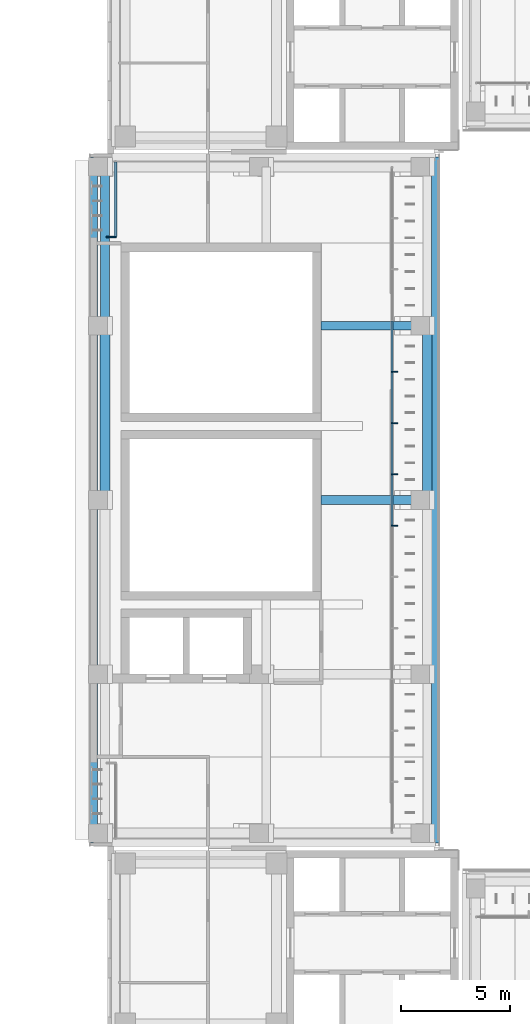
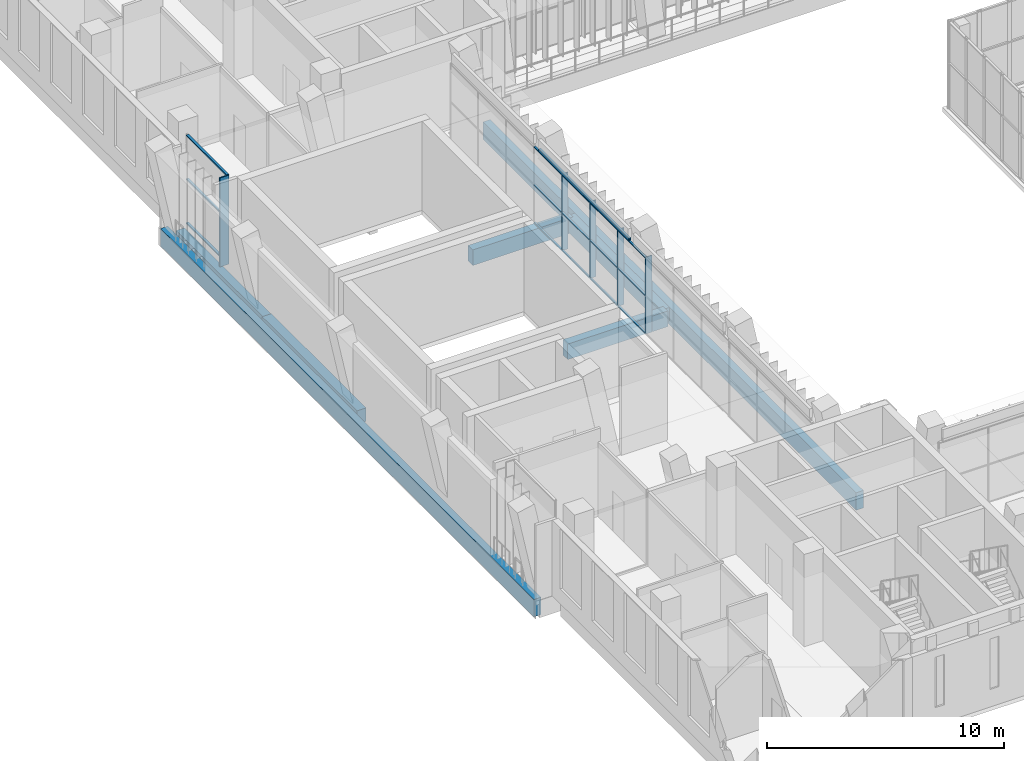
# One storey, part 24 of 92: 20 members, 8 beams, 2 elements without a shape of their own.
"""IFC4 building model written with IfcOpenShell, lengths in metres."""

from ifc_helpers import new_model, si_unit, direction, frame, origin, origin_2d, place, context, subcontext, project, spatial, rectangle, hollow_rectangle, extrude, material, material_profile, profile_set, type_object, element, aggregate, save


model = new_model("IFC4")

# Units and contexts
model_context = context("Model", 3, precision=1e-05, world=origin(), true_north=direction((0.0, 1.0)))
body_context = subcontext(model_context, "Body", "Model", "MODEL_VIEW")
ifc_project = project(units=[si_unit("LENGTHUNIT", "METRE"), si_unit("AREAUNIT", "SQUARE_METRE"), si_unit("VOLUMEUNIT", "CUBIC_METRE"), si_unit("PLANEANGLEUNIT", "RADIAN"), si_unit("MASSUNIT", "GRAM", prefix="KILO")], contexts=[model_context])

# Site, building, storey
site_placement = place(None, origin())
site = spatial("IfcSite", under=ifc_project, at=site_placement, CompositionType="ELEMENT")
building_placement = place(site_placement, origin())
building = spatial("IfcBuilding", under=site, at=building_placement, Name="Lantern Court Media Centre", CompositionType="ELEMENT")
storey_placement = place(building_placement, frame((0.0, 0.0, 4.800048828125)))
storey = spatial("IfcBuildingStorey", under=building, at=storey_placement, Name="L01", CompositionType="ELEMENT", Elevation=4.800048828125)

# Curtain wall, members
ifc_material_1 = material(Name="Curtain wall bay 2400")
curtain_wall_type_1 = type_object("IfcCurtainWallType", Name="Curtain wall bay 2400", PredefinedType="NOTDEFINED", material=ifc_material_1)
curtain_wall_1_placement = place(storey_placement, origin())
curtain_wall_1 = element("IfcCurtainWall", 1, at=curtain_wall_1_placement, inside=storey, type_object=curtain_wall_type_1, Name="Curtain wall W inner L01", PredefinedType="NOTDEFINED")
ifc_material_2 = material(Name="Anodised aluminium", Category="aluminium")
ifc_material_profile_1 = material_profile(ifc_material_2, rectangle(XDim=0.300048828125, YDim=0.050048828125, at=origin_2d()), Name="AL 50x300")
ifc_profile_set_1 = profile_set([ifc_material_profile_1], Name="Anodised aluminium")
member_type_1 = type_object("IfcMemberType", Name="Curtain wall mullion 50x300", PredefinedType="MULLION", material=ifc_profile_set_1)
member_1_placement = place(storey_placement, frame((20.969970703125, 78.822998046875, 0.0), z_axis=(0.0, 0.0, 1.0), x_axis=(-1.0, 0.0, 0.0)))
member_1 = element("IfcMember", 2, at=member_1_placement, type_object=member_type_1, Name="CW2 mullion 7", PredefinedType="MULLION", context=body_context, shape_type="SweptSolid", body=[
    extrude(rectangle(XDim=0.300048828125, YDim=0.050048828125, at=origin_2d()), origin(), (0.0, 0.0, 1.0), 3.949951171875),
])
member_2_placement = place(storey_placement, frame((20.969970703125, 81.177001953125, 0.0), z_axis=(0.0, 0.0, 1.0), x_axis=(-1.0, 0.0, 0.0)))
member_2 = element("IfcMember", 3, at=member_2_placement, type_object=member_type_1, Name="CW2 mullion 8", PredefinedType="MULLION", context=body_context, shape_type="SweptSolid", body=[
    extrude(rectangle(XDim=0.300048828125, YDim=0.050048828125, at=origin_2d()), origin(), (0.0, 0.0, 1.0), 3.949951171875),
])
member_3_placement = place(storey_placement, frame((20.969970703125, 83.53076171875, 0.0), z_axis=(0.0, 0.0, 1.0), x_axis=(-1.0, 0.0, 0.0)))
member_3 = element("IfcMember", 4, at=member_3_placement, type_object=member_type_1, Name="CW2 mullion 9", PredefinedType="MULLION", context=body_context, shape_type="SweptSolid", body=[
    extrude(rectangle(XDim=0.300048828125, YDim=0.050048828125, at=origin_2d()), origin(), (0.0, 0.0, 1.0), 3.949951171875),
])
member_4_placement = place(storey_placement, frame((20.969970703125, 85.884521484375, 0.0), z_axis=(0.0, 0.0, 1.0), x_axis=(-1.0, 0.0, 0.0)))
member_4 = element("IfcMember", 5, at=member_4_placement, type_object=member_type_1, Name="CW2 mullion 10", PredefinedType="MULLION", context=body_context, shape_type="SweptSolid", body=[
    extrude(rectangle(XDim=0.300048828125, YDim=0.050048828125, at=origin_2d()), origin(), (0.0, 0.0, 1.0), 3.949951171875),
])

# Curtain wall, member
ifc_material_3 = material(Name="Curtain wall bay 3000")
curtain_wall_type_2 = type_object("IfcCurtainWallType", Name="Curtain wall bay 3000", PredefinedType="NOTDEFINED", material=ifc_material_3)
curtain_wall_2_placement = place(storey_placement, origin())
curtain_wall_2 = element("IfcCurtainWall", 6, at=curtain_wall_2_placement, inside=storey, type_object=curtain_wall_type_2, Name="Curtain wall W outer L01", PredefinedType="NOTDEFINED")
ifc_material_profile_2 = material_profile(ifc_material_2, rectangle(XDim=0.449951171875, YDim=0.06005859375, at=origin_2d()), Name="AL 60x450")
ifc_profile_set_2 = profile_set([ifc_material_profile_2], Name="Anodised aluminium")
member_type_2 = type_object("IfcMemberType", Name="Curtain wall mullion 60x450", PredefinedType="MULLION", material=ifc_profile_set_2)
member_5_placement = place(storey_placement, frame((7.955078125, 92.080078125, 0.0), z_axis=(0.0, 0.0, 1.0), x_axis=(-1.0, 0.0, 0.0)))
member_5 = element("IfcMember", 7, at=member_5_placement, type_object=member_type_2, Name="CW1 mullion 1", PredefinedType="MULLION", context=body_context, shape_type="SweptSolid", body=[
    extrude(rectangle(XDim=0.449951171875, YDim=0.06005859375, at=origin_2d()), origin(), (0.0, 0.0, 1.0), 4.579833984375),
])

# Member
ifc_material_profile_3 = material_profile(ifc_material_2, rectangle(XDim=0.10009765625, YDim=0.050048828125, at=origin_2d()), Name="AL 50x100")
ifc_profile_set_3 = profile_set([ifc_material_profile_3], Name="Anodised aluminium")
member_type_3 = type_object("IfcMemberType", Name="Curtain wall transom 100x50", PredefinedType="USERDEFINED", material=ifc_profile_set_3)
member_6_placement = place(storey_placement, frame((20.85009765625, 78.84814453125, 0.02490234375), z_axis=(0.0, 1.0, 0.0), x_axis=(-1.0, 0.0, 0.0)))
member_6 = element("IfcMember", 8, at=member_6_placement, type_object=member_type_3, Name="CW2 transom 7.1", ObjectType="TRANSOM", PredefinedType="USERDEFINED", context=body_context, shape_type="SweptSolid", body=[
    extrude(rectangle(XDim=0.10009765625, YDim=0.050048828125, at=origin_2d()), origin(), (0.0, 0.0, 1.0), 2.3037109375),
])

member_7_placement = place(storey_placement, frame((20.85009765625, 78.84814453125, 1.974853515625), z_axis=(0.0, 1.0, 0.0), x_axis=(-1.0, 0.0, 0.0)))
member_7 = element("IfcMember", 9, at=member_7_placement, type_object=member_type_3, Name="CW2 transom 7.2", ObjectType="TRANSOM", PredefinedType="USERDEFINED", context=body_context, shape_type="SweptSolid", body=[
    extrude(rectangle(XDim=0.10009765625, YDim=0.050048828125, at=origin_2d()), origin(), (0.0, 0.0, 1.0), 2.3037109375),
])

member_8_placement = place(storey_placement, frame((20.85009765625, 78.84814453125, 3.925048828125), z_axis=(0.0, 1.0, 0.0), x_axis=(-1.0, 0.0, 0.0)))
member_8 = element("IfcMember", 10, at=member_8_placement, type_object=member_type_3, Name="CW2 transom 7.3", ObjectType="TRANSOM", PredefinedType="USERDEFINED", context=body_context, shape_type="SweptSolid", body=[
    extrude(rectangle(XDim=0.10009765625, YDim=0.050048828125, at=origin_2d()), origin(), (0.0, 0.0, 1.0), 2.3037109375),
])

member_9_placement = place(storey_placement, frame((20.85009765625, 81.201904296875, 0.02490234375), z_axis=(0.0, 1.0, 0.0), x_axis=(-1.0, 0.0, 0.0)))
member_9 = element("IfcMember", 11, at=member_9_placement, type_object=member_type_3, Name="CW2 transom 8.1", ObjectType="TRANSOM", PredefinedType="USERDEFINED", context=body_context, shape_type="SweptSolid", body=[
    extrude(rectangle(XDim=0.10009765625, YDim=0.050048828125, at=origin_2d()), origin(), (0.0, 0.0, 1.0), 2.303955078125),
])

member_10_placement = place(storey_placement, frame((20.85009765625, 81.201904296875, 1.974853515625), z_axis=(0.0, 1.0, 0.0), x_axis=(-1.0, 0.0, 0.0)))
member_10 = element("IfcMember", 12, at=member_10_placement, type_object=member_type_3, Name="CW2 transom 8.2", ObjectType="TRANSOM", PredefinedType="USERDEFINED", context=body_context, shape_type="SweptSolid", body=[
    extrude(rectangle(XDim=0.10009765625, YDim=0.050048828125, at=origin_2d()), origin(), (0.0, 0.0, 1.0), 2.303955078125),
])

member_11_placement = place(storey_placement, frame((20.85009765625, 81.201904296875, 3.925048828125), z_axis=(0.0, 1.0, 0.0), x_axis=(-1.0, 0.0, 0.0)))
member_11 = element("IfcMember", 13, at=member_11_placement, type_object=member_type_3, Name="CW2 transom 8.3", ObjectType="TRANSOM", PredefinedType="USERDEFINED", context=body_context, shape_type="SweptSolid", body=[
    extrude(rectangle(XDim=0.10009765625, YDim=0.050048828125, at=origin_2d()), origin(), (0.0, 0.0, 1.0), 2.303955078125),
])

member_12_placement = place(storey_placement, frame((20.85009765625, 83.5556640625, 0.02490234375), z_axis=(0.0, 1.0, 0.0), x_axis=(-1.0, 0.0, 0.0)))
member_12 = element("IfcMember", 14, at=member_12_placement, type_object=member_type_3, Name="CW2 transom 9.1", ObjectType="TRANSOM", PredefinedType="USERDEFINED", context=body_context, shape_type="SweptSolid", body=[
    extrude(rectangle(XDim=0.10009765625, YDim=0.050048828125, at=origin_2d()), origin(), (0.0, 0.0, 1.0), 2.303955078125),
])

member_13_placement = place(storey_placement, frame((20.85009765625, 83.5556640625, 1.974853515625), z_axis=(0.0, 1.0, 0.0), x_axis=(-1.0, 0.0, 0.0)))
member_13 = element("IfcMember", 15, at=member_13_placement, type_object=member_type_3, Name="CW2 transom 9.2", ObjectType="TRANSOM", PredefinedType="USERDEFINED", context=body_context, shape_type="SweptSolid", body=[
    extrude(rectangle(XDim=0.10009765625, YDim=0.050048828125, at=origin_2d()), origin(), (0.0, 0.0, 1.0), 2.303955078125),
])

member_14_placement = place(storey_placement, frame((20.85009765625, 83.5556640625, 3.925048828125), z_axis=(0.0, 1.0, 0.0), x_axis=(-1.0, 0.0, 0.0)))
member_14 = element("IfcMember", 16, at=member_14_placement, type_object=member_type_3, Name="CW2 transom 9.3", ObjectType="TRANSOM", PredefinedType="USERDEFINED", context=body_context, shape_type="SweptSolid", body=[
    extrude(rectangle(XDim=0.10009765625, YDim=0.050048828125, at=origin_2d()), origin(), (0.0, 0.0, 1.0), 2.303955078125),
])

member_15_placement = place(storey_placement, frame((20.85009765625, 85.90966796875, 0.02490234375), z_axis=(0.0, 1.0, 0.0), x_axis=(-1.0, 0.0, 0.0)))
member_15 = element("IfcMember", 17, at=member_15_placement, type_object=member_type_3, Name="CW2 transom 10.1", ObjectType="TRANSOM", PredefinedType="USERDEFINED", context=body_context, shape_type="SweptSolid", body=[
    extrude(rectangle(XDim=0.10009765625, YDim=0.050048828125, at=origin_2d()), origin(), (0.0, 0.0, 1.0), 2.3037109375),
])

member_16_placement = place(storey_placement, frame((20.85009765625, 85.90966796875, 1.974853515625), z_axis=(0.0, 1.0, 0.0), x_axis=(-1.0, 0.0, 0.0)))
member_16 = element("IfcMember", 18, at=member_16_placement, type_object=member_type_3, Name="CW2 transom 10.2", ObjectType="TRANSOM", PredefinedType="USERDEFINED", context=body_context, shape_type="SweptSolid", body=[
    extrude(rectangle(XDim=0.10009765625, YDim=0.050048828125, at=origin_2d()), origin(), (0.0, 0.0, 1.0), 2.3037109375),
])

member_17_placement = place(storey_placement, frame((20.85009765625, 85.90966796875, 3.925048828125), z_axis=(0.0, 1.0, 0.0), x_axis=(-1.0, 0.0, 0.0)))
member_17 = element("IfcMember", 19, at=member_17_placement, type_object=member_type_3, Name="CW2 transom 10.3", ObjectType="TRANSOM", PredefinedType="USERDEFINED", context=body_context, shape_type="SweptSolid", body=[
    extrude(rectangle(XDim=0.10009765625, YDim=0.050048828125, at=origin_2d()), origin(), (0.0, 0.0, 1.0), 2.3037109375),
])

aggregate(curtain_wall_1, [member_1, member_2, member_3, member_4, member_6, member_7, member_8, member_9, member_10, member_11, member_12, member_13, member_14, member_15, member_16, member_17])

ifc_material_profile_4 = material_profile(ifc_material_2, rectangle(XDim=0.1201171875, YDim=0.06005859375, at=origin_2d()), Name="AL 60x120")
ifc_profile_set_4 = profile_set([ifc_material_profile_4], Name="Anodised aluminium")
member_type_4 = type_object("IfcMemberType", Name="Curtain wall transom 60x120", PredefinedType="USERDEFINED", material=ifc_profile_set_4)
member_18_placement = place(storey_placement, frame((8.14990234375, 92.110107421875, 0.030029296875), z_axis=(0.0, 1.0, 0.0), x_axis=(-1.0, 0.0, 0.0)))
member_18 = element("IfcMember", 20, at=member_18_placement, type_object=member_type_4, Name="CW1 transom 1.1", ObjectType="TRANSOM", PredefinedType="USERDEFINED", context=body_context, shape_type="SweptSolid", body=[
    extrude(rectangle(XDim=0.1201171875, YDim=0.06005859375, at=origin_2d()), origin(), (0.0, 0.0, 1.0), 3.409912109375),
])

member_19_placement = place(storey_placement, frame((8.14990234375, 92.110107421875, 2.2900390625), z_axis=(0.0, 1.0, 0.0), x_axis=(-1.0, 0.0, 0.0)))
member_19 = element("IfcMember", 21, at=member_19_placement, type_object=member_type_4, Name="CW1 transom 1.2", ObjectType="TRANSOM", PredefinedType="USERDEFINED", context=body_context, shape_type="SweptSolid", body=[
    extrude(rectangle(XDim=0.1201171875, YDim=0.06005859375, at=origin_2d()), origin(), (0.0, 0.0, 1.0), 3.409912109375),
])

member_20_placement = place(storey_placement, frame((8.14990234375, 92.110107421875, 4.550048828125), z_axis=(0.0, 1.0, 0.0), x_axis=(-1.0, 0.0, 0.0)))
member_20 = element("IfcMember", 22, at=member_20_placement, type_object=member_type_4, Name="CW1 transom 1.3", ObjectType="TRANSOM", PredefinedType="USERDEFINED", context=body_context, shape_type="SweptSolid", body=[
    extrude(rectangle(XDim=0.1201171875, YDim=0.06005859375, at=origin_2d()), origin(), (0.0, 0.0, 1.0), 3.409912109375),
])

aggregate(curtain_wall_2, [member_5, member_18, member_19, member_20])

# Beams
ifc_material_4 = material(Name="Steel S355J2 (EN 10025-2)", Category="steel")
ifc_material_profile_5 = material_profile(ifc_material_4, hollow_rectangle(XDim=0.10009765625, YDim=0.14990234375, WallThickness=0.00634765625, InnerFilletRadius=0.00634765625, OuterFilletRadius=0.009521484375, at=origin_2d()), Name="Facade head lintel RHS 150x100x6.3")
ifc_profile_set_5 = profile_set([ifc_material_profile_5], Name="Steel S355J2 (EN 10025-2)")
beam_type_1 = type_object("IfcBeamType", Name="Facade head lintel RHS 150x100x6.3", PredefinedType="BEAM", material=ifc_profile_set_5)
beam_1_placement = place(storey_placement, frame((20.85009765625, 80.199951171875, 4.02490234375), z_axis=(0.0, 1.0, 0.0), x_axis=(-1.0, 0.0, 0.0)))
element("IfcBeam", 23, at=beam_1_placement, inside=storey, type_object=beam_type_1, Name="Facade head lintel W L01", PredefinedType="BEAM", context=body_context, shape_type="SweptSolid", body=[
    extrude(hollow_rectangle(XDim=0.10009765625, YDim=0.14990234375, WallThickness=0.00634765625, InnerFilletRadius=0.00634765625, OuterFilletRadius=0.009521484375, at=origin_2d()), origin(), (0.0, 0.0, 1.0), 7.60009765625),
])
ifc_material_5 = material(Name="Concrete C35", Category="concrete")
ifc_material_profile_6 = material_profile(ifc_material_5, rectangle(XDim=0.35009765625, YDim=0.89990234375, at=origin_2d()), Name="RC 350x900")
ifc_profile_set_6 = profile_set([ifc_material_profile_6], Name="Concrete C35")
beam_type_2 = type_object("IfcBeamType", Name="RC BEAM 350x900", PredefinedType="BEAM", material=ifc_profile_set_6)
for number, where, z_axis, x_axis, name in (
    (24, (7.14990234375, 64.25, -0.449951171875), (0.0, 1.0, 0.0), (-1.0, 0.0, 0.0), "EB-W-L01-A"),
    (25, (22.85009765625, 64.25, -0.449951171875), (0.0, 1.0, 0.0), (-1.0, 0.0, 0.0), "EB-W-L01-B"),
):
    element("IfcBeam", number, at=place(storey_placement, frame(where, z_axis=z_axis, x_axis=x_axis)), inside=storey, type_object=beam_type_2, Name=name, PredefinedType="BEAM", context=body_context, shape_type="SweptSolid", body=[
        extrude(rectangle(XDim=0.35009765625, YDim=0.89990234375, at=origin_2d()), origin(), (0.0, 0.0, 1.0), 31.5),
    ])
ifc_material_profile_7 = material_profile(ifc_material_5, rectangle(XDim=0.39990234375, YDim=0.699951171875, at=origin_2d()), Name="RC 400x700")
ifc_profile_set_7 = profile_set([ifc_material_profile_7], Name="Concrete C35")
beam_type_3 = type_object("IfcBeamType", Name="RC BEAM 400x700", PredefinedType="BEAM", material=ifc_profile_set_7)
beam_2_placement = place(storey_placement, frame((7.6728515625, 88.0, -0.35009765625), z_axis=(0.0, 1.0, 0.0), x_axis=(-1.0, 0.0, 0.0)))
element("IfcBeam", 26, at=beam_2_placement, inside=storey, type_object=beam_type_3, Name="LB-W-L01-0-3", PredefinedType="BEAM", context=body_context, shape_type="SweptSolid", body=[
    extrude(rectangle(XDim=0.39990234375, YDim=0.699951171875, at=origin_2d()), origin(), (0.0, 0.0, 1.0), 7.300048828125),
])
ifc_material_profile_8 = material_profile(ifc_material_5, rectangle(XDim=0.39990234375, YDim=0.800048828125, at=origin_2d()), Name="RC 400x800")
ifc_profile_set_8 = profile_set([ifc_material_profile_8], Name="Concrete C35")
beam_type_4 = type_object("IfcBeamType", Name="RC BEAM 400x800", PredefinedType="BEAM", material=ifc_profile_set_8)
for number, where, z_axis, x_axis, name in (
    (27, (17.60009765625, 80.0, -0.400146484375), (1.0, 0.0, 0.0), (0.0, 1.0, 0.0), "TB-W-L01-2-1"),
    (28, (17.60009765625, 88.0, -0.400146484375), (1.0, 0.0, 0.0), (0.0, 1.0, 0.0), "TB-W-L01-3-1"),
):
    element("IfcBeam", number, at=place(storey_placement, frame(where, z_axis=z_axis, x_axis=x_axis)), inside=storey, type_object=beam_type_4, Name=name, PredefinedType="BEAM", context=body_context, shape_type="SweptSolid", body=[
        extrude(rectangle(XDim=0.39990234375, YDim=0.800048828125, at=origin_2d()), origin(), (0.0, 0.0, 1.0), 4.88330078125),
    ])
ifc_material_profile_9 = material_profile(ifc_material_5, rectangle(XDim=0.449951171875, YDim=0.699951171875, at=origin_2d()), Name="RC 450x700")
ifc_profile_set_9 = profile_set([ifc_material_profile_9], Name="Concrete C35")
beam_type_5 = type_object("IfcBeamType", Name="RC BEAM 450x700", PredefinedType="BEAM", material=ifc_profile_set_9)
for number, where, z_axis, x_axis, name in (
    (29, (7.6728515625, 80.0, -0.35009765625), (0.0, 1.0, 0.0), (-1.0, 0.0, 0.0), "LB-W-L01-0-2"),
    (30, (22.472900390625, 80.0, -0.35009765625), (0.0, 1.0, 0.0), (-1.0, 0.0, 0.0), "LB-W-L01-2-2"),
):
    element("IfcBeam", number, at=place(storey_placement, frame(where, z_axis=z_axis, x_axis=x_axis)), inside=storey, type_object=beam_type_5, Name=name, PredefinedType="BEAM", context=body_context, shape_type="SweptSolid", body=[
        extrude(rectangle(XDim=0.449951171875, YDim=0.699951171875, at=origin_2d()), origin(), (0.0, 0.0, 1.0), 8.0),
    ])

save(model, "model.ifc")
